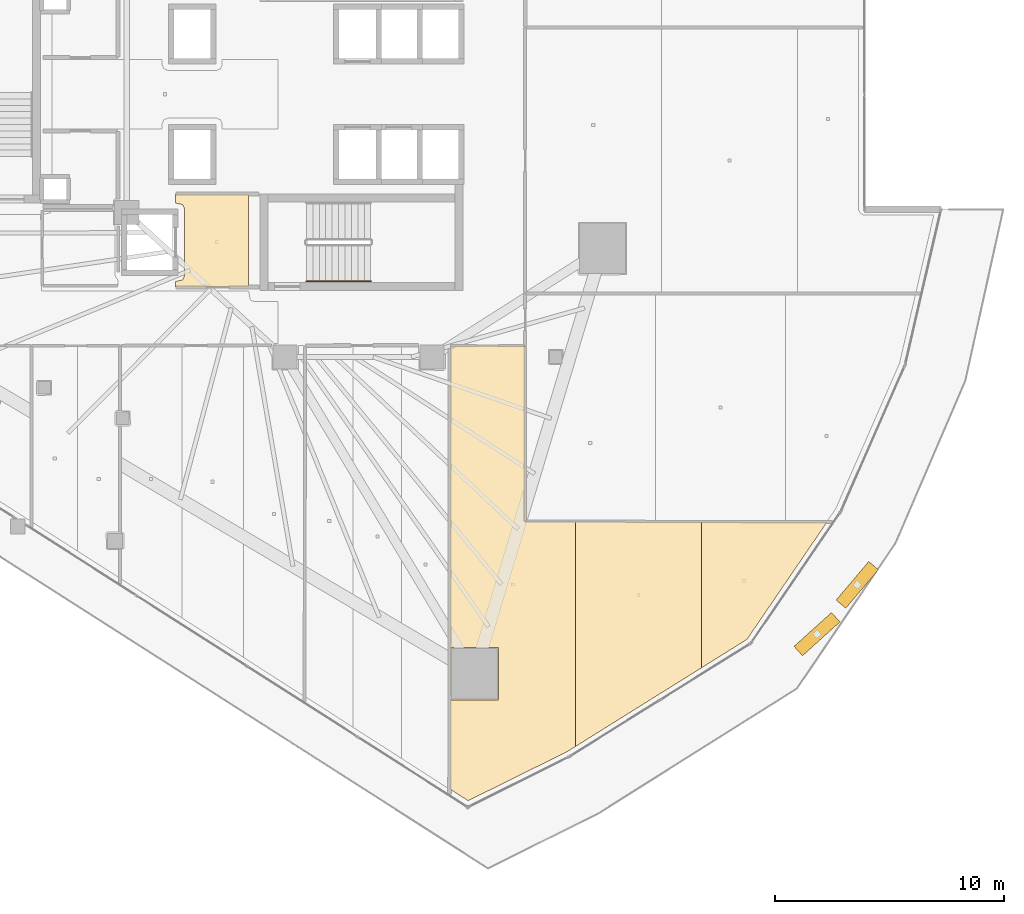
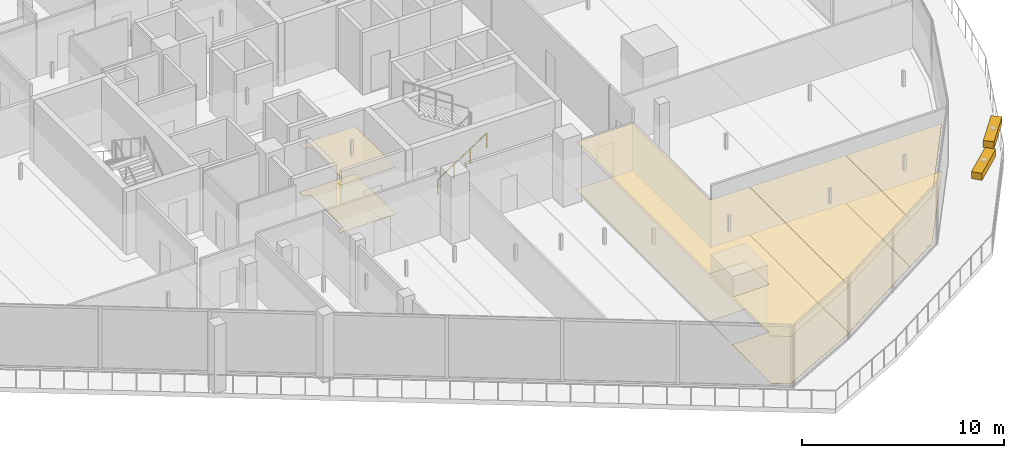
# One storey, part 39 of 45: 8 coverings, 2 shading devices, 1 railing.
"""IFC4 building model written with IfcOpenShell, lengths in metres."""

import ifcopenshell
import ifcopenshell.guid

model = None  # the IFC model being written
_history = None  # IfcOwnerHistory: only IFC2X3 demands one
_inside = {}  # id of a spatial element -> (the spatial element, [elements in it])
_under = {}  # id of a project, library or spatial element -> (it, [spatial elements below it])
_declared = {}  # id of a project -> (the project, [libraries it declares])
_typed = {}  # id of a type object -> (the type object, [elements of that type])
_made_of = {}  # id of a material, layer set ... -> (it, [elements and type objects made of it])


def new_model(schema):
    """Start an empty IFC model of exactly this schema.

    Asked for "IFC4X3", IfcOpenShell would pick the latest addendum, in which some entities
    have other attributes; the version numbers below select the first issue.
    IFC2X3 requires an IfcOwnerHistory on every rooted entity: one is made here for all.
    """
    global model, _history
    if schema == "IFC4X3":
        model = ifcopenshell.file(schema_version=(4, 3, 0, 0))
    else:
        model = ifcopenshell.file(schema=schema)
    _inside.clear()
    _under.clear()
    _declared.clear()
    _typed.clear()
    _made_of.clear()
    _history = None
    if model.schema == "IFC2X3":
        org = make("IfcOrganization", Name="unknown")
        user = make(
            "IfcPersonAndOrganization",
            ThePerson=make("IfcPerson", FamilyName="unknown"),
            TheOrganization=org,
        )
        app = make(
            "IfcApplication",
            ApplicationDeveloper=org,
            Version="unknown",
            ApplicationFullName="unknown",
            ApplicationIdentifier="unknown",
        )
        _history = make(
            "IfcOwnerHistory",
            OwningUser=user,
            OwningApplication=app,
            ChangeAction="ADDED",
            CreationDate=0,
        )
    return model


def make(cls, **values):
    """One entity of the class cls with the attributes given. An attribute that is None is left unset."""
    return model.create_entity(
        cls, **{name: value for name, value in values.items() if value is not None}
    )


def rooted(cls, **values):
    """An entity with a GlobalId (a new one), such as an element, a storey or a relation."""
    return make(cls, GlobalId=ifcopenshell.guid.new(), OwnerHistory=_history, **values)


def si_unit(unit_type, name, prefix=None):
    """IfcSIUnit, for example si_unit("LENGTHUNIT", "METRE", prefix="MILLI")."""
    return make("IfcSIUnit", UnitType=unit_type, Prefix=prefix, Name=name)


def assignment(units):
    """IfcUnitAssignment: the units of a project."""
    return None if units is None else make("IfcUnitAssignment", Units=units)


def point(xyz):
    """IfcCartesianPoint."""
    return None if xyz is None else make("IfcCartesianPoint", Coordinates=xyz)


def direction(xyz):
    """IfcDirection."""
    return None if xyz is None else make("IfcDirection", DirectionRatios=xyz)


def frame(location, z_axis=None, x_axis=None):
    """IfcAxis2Placement3D, a coordinate frame: its origin and axes. An axis left out is left unset."""
    return make(
        "IfcAxis2Placement3D",
        Location=point(location),
        Axis=direction(z_axis),
        RefDirection=direction(x_axis),
    )


def frame_2d(location, x_axis=None):
    """IfcAxis2Placement2D, a coordinate frame in the plane: its origin and x axis."""
    return make(
        "IfcAxis2Placement2D", Location=point(location), RefDirection=direction(x_axis)
    )


def origin():
    """The frame at (0, 0, 0) with its axes left unset."""
    return frame((0.0, 0.0, 0.0))


def origin_2d():
    """The frame at (0, 0) in the plane with its x axis left unset."""
    return frame_2d((0.0, 0.0))


def place(relative_to, where):
    """IfcLocalPlacement: puts the frame where relative to a parent placement (None: the world)."""
    return make(
        "IfcLocalPlacement", PlacementRelTo=relative_to, RelativePlacement=where
    )


def context(
    kind, dimensions, precision=None, world=None, true_north=None, identifier=None
):
    """IfcGeometricRepresentationContext, for example the 3D "Model" context."""
    return make(
        "IfcGeometricRepresentationContext",
        ContextIdentifier=identifier,
        ContextType=kind,
        CoordinateSpaceDimension=dimensions,
        Precision=precision,
        WorldCoordinateSystem=world,
        TrueNorth=true_north,
    )


def subcontext(parent, identifier, kind, view, scale=None):
    """IfcGeometricRepresentationSubContext, for example "Body" below "Model"."""
    return make(
        "IfcGeometricRepresentationSubContext",
        ContextIdentifier=identifier,
        ContextType=kind,
        ParentContext=parent,
        TargetScale=scale,
        TargetView=view,
    )


def project(units=None, contexts=None):
    """IfcProject with its units and contexts."""
    return rooted(
        "IfcProject",
        Name="project",
        RepresentationContexts=contexts,
        UnitsInContext=assignment(units),
    )


def spatial(cls, under=None, at=None, **own):
    """A site, building, storey or space (cls), placed at a placement, below another one or the project."""
    s = rooted(cls, ObjectPlacement=at, **own)
    if under is not None:
        _under.setdefault(under.id(), (under, []))[1].append(s)
    return s


def polyline(points):
    """IfcPolyline through the points."""
    return make("IfcPolyline", Points=[point(p) for p in points])


def profile(cls, at=None, kind="AREA", **sizes):
    """A parametric profile (cls). Its sizes go by their IFC names, for example OverallWidth=200.0."""
    return make(cls, ProfileType=kind, Position=at, **sizes)


def rectangle(**sizes):
    """IfcRectangleProfileDef."""
    return profile("IfcRectangleProfileDef", **sizes)


def circle(**sizes):
    """IfcCircleProfileDef."""
    return profile("IfcCircleProfileDef", **sizes)


def outline(outer, holes=None, kind="AREA"):
    """IfcArbitraryClosedProfileDef: a profile drawn as a closed curve; with holes, ...WithVoids."""
    if holes is None:
        return make("IfcArbitraryClosedProfileDef", ProfileType=kind, OuterCurve=outer)
    return make(
        "IfcArbitraryProfileDefWithVoids",
        ProfileType=kind,
        OuterCurve=outer,
        InnerCurves=holes,
    )


def extrude(swept, where, along, depth):
    """IfcExtrudedAreaSolid: the profile swept, set in the frame where, extruded along a direction by depth."""
    return make(
        "IfcExtrudedAreaSolid",
        SweptArea=swept,
        Position=where,
        ExtrudedDirection=direction(along),
        Depth=depth,
    )


def shape(context_of_items, identifier, shape_type, items):
    """IfcShapeRepresentation: the items that make up one representation, for example the "Body"."""
    return make(
        "IfcShapeRepresentation",
        ContextOfItems=context_of_items,
        RepresentationIdentifier=identifier,
        RepresentationType=shape_type,
        Items=items,
    )


def material(Name=None, Category=None):
    """IfcMaterial."""
    return make("IfcMaterial", Name=Name, Category=Category)


def layer(
    of_material, thickness, ventilated=None, Name=None, Category=None, Priority=None
):
    """IfcMaterialLayer: one layer of a wall or slab, of a material (None: an air gap)."""
    return make(
        "IfcMaterialLayer",
        Material=of_material,
        LayerThickness=thickness,
        IsVentilated=ventilated,
        Name=Name,
        Category=Category,
        Priority=Priority,
    )


def layer_set(layers, Name=None):
    """IfcMaterialLayerSet."""
    return make("IfcMaterialLayerSet", MaterialLayers=layers, LayerSetName=Name)


def made_of(thing, what):
    """Note that an element or type object is made of a material, layer set ...; save() writes the relation."""
    if what is not None:
        _made_of.setdefault(what.id(), (what, []))[1].append(thing)
    return thing


def type_object(cls, material=None, **own):
    """A type object (cls), such as IfcWallType, which elements share."""
    return made_of(rooted(cls, **own), material)


def element(
    cls,
    number,
    at=None,
    inside=None,
    cuts=None,
    type_object=None,
    material=None,
    context=None,
    identifier="Body",
    shape_type=None,
    held_by="IfcProductDefinitionShape",
    body=None,
    shapes=None,
    **own,
):
    """One element of the class cls, such as IfcWall. Its Tag is "e" and its number.

    at: its placement. inside: the storey or other place that contains it. cuts: it is an
    opening in that element (IfcRelVoidsElement). A single representation is given by context,
    identifier, shape_type and body (its items); several are given by shapes. held_by: the class
    of the entity that holds the representations. save() writes the other relations.
    """
    e = rooted(cls, Tag="e%d" % number, ObjectPlacement=at, **own)
    if body is not None:
        shapes = [shape(context, identifier, shape_type, body)]
    if shapes is not None:
        e.Representation = make(held_by, Representations=shapes)
    if inside is not None:
        _inside.setdefault(inside.id(), (inside, []))[1].append(e)
    if cuts is not None:
        rooted(
            "IfcRelVoidsElement", RelatingBuildingElement=cuts, RelatedOpeningElement=e
        )
    if type_object is not None:
        _typed.setdefault(type_object.id(), (type_object, []))[1].append(e)
    return made_of(e, material)


def aggregate(whole, parts):
    """IfcRelAggregates: a whole, such as a stair, and the parts it consists of."""
    return rooted("IfcRelAggregates", RelatingObject=whole, RelatedObjects=parts)


def save(model, path):
    """Write the relations noted so far, then the file.

    IfcRelAggregates (storeys below a building ...), IfcRelContainedInSpatialStructure (elements
    in a storey), IfcRelDefinesByType, IfcRelAssociatesMaterial and IfcRelDeclares: one each for
    every whole, place, type object, material and project.
    """
    for whole, parts in _under.values():
        aggregate(whole, parts)
    for where, things in _inside.values():
        rooted(
            "IfcRelContainedInSpatialStructure",
            RelatedElements=things,
            RelatingStructure=where,
        )
    for kind, things in _typed.values():
        rooted("IfcRelDefinesByType", RelatedObjects=things, RelatingType=kind)
    for what, things in _made_of.values():
        rooted("IfcRelAssociatesMaterial", RelatedObjects=things, RelatingMaterial=what)
    for by, libraries in _declared.values():
        rooted("IfcRelDeclares", RelatingContext=by, RelatedDefinitions=libraries)
    model.write(path)


model = new_model("IFC4")

# Units and contexts
model_context = context("Model", 3, precision=1e-05, world=origin(), true_north=direction((0.0, 1.0)))
body_context = subcontext(model_context, "Body", "Model", "MODEL_VIEW")
ifc_project = project(units=[si_unit("LENGTHUNIT", "METRE"), si_unit("AREAUNIT", "SQUARE_METRE"), si_unit("VOLUMEUNIT", "CUBIC_METRE"), si_unit("PLANEANGLEUNIT", "RADIAN"), si_unit("MASSUNIT", "GRAM", prefix="KILO")], contexts=[model_context])

# Site, building, storey
site_placement = place(None, origin())
site = spatial("IfcSite", under=ifc_project, at=site_placement, CompositionType="ELEMENT")
building_placement = place(site_placement, origin())
building = spatial("IfcBuilding", under=site, at=building_placement, Name="Qorvath Tower", CompositionType="ELEMENT")
storey_placement = place(building_placement, frame((0.0, 0.0, 109.800048828125)))
storey = spatial("IfcBuildingStorey", under=building, at=storey_placement, Name="L24", CompositionType="ELEMENT", Elevation=109.800048828125)

# Coverings
ifc_material_1 = material(Name="Acoustic mineral fibre ceiling tile", Category="gypsum")
ifc_layer_1 = layer(ifc_material_1, 0.030029296875)
ifc_layer_set_1 = layer_set([ifc_layer_1], Name="COV-CEIL")
covering_type_1 = type_object("IfcCoveringType", Name="COV-CEIL", PredefinedType="CEILING", material=ifc_layer_set_1)
covering_1_placement = place(storey_placement, frame((0.0, 0.0, 2.849853515625)))
element("IfcCovering", 1, at=covering_1_placement, inside=storey, type_object=covering_type_1, Name="L24 Suspended Acoustic Ceiling 002", PredefinedType="CEILING", context=body_context, shape_type="SweptSolid", body=[
    extrude(outline(polyline([(-25.18994140625, -8.39501953125), (-25.18994140625, -4.35498046875), (-28.375, -4.35498046875), (-28.375, -4.739990234375), (-28.063232421875, -4.813232421875), (-27.989990234375, -4.989990234375), (-27.989990234375, -7.909912109375), (-28.063232421875, -8.086669921875), (-28.375, -8.159912109375), (-28.375, -8.39501953125), (-25.18994140625, -8.39501953125)])), origin(), (0.0, 0.0, 1.0), 0.030029296875),
])
covering_2_placement = place(storey_placement, frame((0.0, 0.0, 2.849853515625)))
element("IfcCovering", 2, at=covering_2_placement, inside=storey, type_object=covering_type_1, Name="L24 Suspended Acoustic Ceiling 030", PredefinedType="CEILING", context=body_context, shape_type="SweptSolid", body=[
    extrude(outline(polyline([(-16.419677734375, -30.279296875), (-15.62451171875, -30.78759765625), (-11.315673828125, -28.655517578125), (-10.941162109375, -28.421630859375), (-10.941162109375, -18.627197265625), (-13.153564453125, -18.6240234375), (-13.155029296875, -10.962890625), (-16.402099609375, -10.962890625), (-16.419677734375, -30.279296875)]), holes=[polyline([(-16.404296875, -26.34619140625), (-16.38671875, -24.103759765625), (-14.3017578125, -24.103759765625), (-14.3017578125, -26.388427734375), (-16.34423828125, -26.406005859375), (-16.404296875, -26.34619140625)])]), origin(), (0.0, 0.0, 1.0), 0.030029296875),
])
covering_3_placement = place(storey_placement, frame((0.0, 0.0, 2.849853515625)))
element("IfcCovering", 3, at=covering_3_placement, inside=storey, type_object=covering_type_1, Name="L24 Suspended Acoustic Ceiling 031", PredefinedType="CEILING", context=body_context, shape_type="SweptSolid", body=[
    extrude(outline(polyline([(-10.941162109375, -18.627197265625), (-10.941162109375, -28.421630859375), (-5.462646484375, -25.0009765625), (-5.462646484375, -18.635498046875), (-10.941162109375, -18.627197265625)])), origin(), (0.0, 0.0, 1.0), 0.030029296875),
])
covering_4_placement = place(storey_placement, frame((0.0, 0.0, 2.849853515625)))
element("IfcCovering", 4, at=covering_4_placement, inside=storey, type_object=covering_type_1, Name="L24 Suspended Acoustic Ceiling 032", PredefinedType="CEILING", context=body_context, shape_type="SweptSolid", body=[
    extrude(outline(polyline([(-5.462646484375, -18.635498046875), (-5.462646484375, -25.0009765625), (-3.473388671875, -23.759033203125), (0.01611328125, -18.6435546875), (-5.462646484375, -18.635498046875)])), origin(), (0.0, 0.0, 1.0), 0.030029296875),
])
ifc_material_2 = material(Name="Low-VOC modular carpet tile", Category="textile")
ifc_layer_2 = layer(ifc_material_2, 0.014892578125)
ifc_layer_set_2 = layer_set([ifc_layer_2], Name="COV-FLOOR-CPT")
covering_type_2 = type_object("IfcCoveringType", Name="COV-FLOOR-CPT", PredefinedType="FLOORING", material=ifc_layer_set_2)
covering_5_placement = place(storey_placement, origin())
element("IfcCovering", 5, at=covering_5_placement, inside=storey, type_object=covering_type_2, Name="L24 Floor Finish 030", PredefinedType="FLOORING", context=body_context, shape_type="SweptSolid", body=[
    extrude(outline(polyline([(-16.419677734375, -30.279296875), (-15.62451171875, -30.78759765625), (-11.315673828125, -28.655517578125), (-10.941162109375, -28.421630859375), (-10.941162109375, -18.627197265625), (-13.153564453125, -18.6240234375), (-13.155029296875, -10.962890625), (-16.402099609375, -10.962890625), (-16.419677734375, -30.279296875)]), holes=[polyline([(-16.404296875, -26.34619140625), (-16.38671875, -24.103759765625), (-14.3017578125, -24.103759765625), (-14.3017578125, -26.388427734375), (-16.34423828125, -26.406005859375), (-16.404296875, -26.34619140625)])]), origin(), (0.0, 0.0, 1.0), 0.014892578125),
])
covering_6_placement = place(storey_placement, origin())
element("IfcCovering", 6, at=covering_6_placement, inside=storey, type_object=covering_type_2, Name="L24 Floor Finish 031", PredefinedType="FLOORING", context=body_context, shape_type="SweptSolid", body=[
    extrude(outline(polyline([(-10.941162109375, -18.627197265625), (-10.941162109375, -28.421630859375), (-5.462646484375, -25.0009765625), (-5.462646484375, -18.635498046875), (-10.941162109375, -18.627197265625)])), origin(), (0.0, 0.0, 1.0), 0.014892578125),
])
covering_7_placement = place(storey_placement, origin())
element("IfcCovering", 7, at=covering_7_placement, inside=storey, type_object=covering_type_2, Name="L24 Floor Finish 032", PredefinedType="FLOORING", context=body_context, shape_type="SweptSolid", body=[
    extrude(outline(polyline([(-5.462646484375, -18.635498046875), (-5.462646484375, -25.0009765625), (-3.473388671875, -23.759033203125), (0.01611328125, -18.6435546875), (-5.462646484375, -18.635498046875)])), origin(), (0.0, 0.0, 1.0), 0.014892578125),
])
ifc_material_3 = material(Name="Polished epoxy terrazzo flooring", Category="concrete")
ifc_layer_3 = layer(ifc_material_3, 0.02001953125)
ifc_layer_set_3 = layer_set([ifc_layer_3], Name="COV-FLOOR-TRZ")
covering_type_3 = type_object("IfcCoveringType", Name="COV-FLOOR-TRZ", PredefinedType="FLOORING", material=ifc_layer_set_3)
covering_8_placement = place(storey_placement, origin())
element("IfcCovering", 8, at=covering_8_placement, inside=storey, type_object=covering_type_3, Name="L24 Floor Finish 002", PredefinedType="FLOORING", context=body_context, shape_type="SweptSolid", body=[
    extrude(outline(polyline([(-25.18994140625, -8.39501953125), (-25.18994140625, -4.35498046875), (-28.375, -4.35498046875), (-28.375, -4.739990234375), (-28.063232421875, -4.813232421875), (-27.989990234375, -4.989990234375), (-27.989990234375, -7.909912109375), (-28.063232421875, -8.086669921875), (-28.375, -8.159912109375), (-28.375, -8.39501953125), (-25.18994140625, -8.39501953125)])), origin(), (0.0, 0.0, 1.0), 0.014892578125),
])

# Railing
ifc_material_4 = material(Name="Brushed stainless steel AISI 304", Category="steel")
railing_type = type_object("IfcRailingType", Name="RL-STR-HND", PredefinedType="HANDRAIL", material=ifc_material_4)
railing_placement = place(storey_placement, frame((-22.669921875, -8.14990234375, 0.18408203125)))
element("IfcRailing", 9, at=railing_placement, inside=storey, type_object=railing_type, Name="L24 TS2 stair handrail 1", PredefinedType="HANDRAIL", context=body_context, shape_type="SweptSolid", body=[
    extrude(circle(Radius=0.02392578125, at=origin_2d()), frame((0.0, 0.0, 0.8759765625), z_axis=(0.835575518608, 0.0, 0.549375602573), x_axis=(0.0, 1.0, 0.0)), (0.0, 0.0, 1.0), 3.350830078125),
    extrude(circle(Radius=0.02099609375, at=origin_2d()), origin(), (0.0, 0.0, 1.0), 0.851806640625),
    extrude(circle(Radius=0.02099609375, at=origin_2d()), frame((0.933349609375, 0.0, 0.613525390625)), (0.0, 0.0, 1.0), 0.851806640625),
    extrude(circle(Radius=0.02099609375, at=origin_2d()), frame((1.866455078125, 0.0, 1.227294921875)), (0.0, 0.0, 1.0), 0.851806640625),
    extrude(circle(Radius=0.02099609375, at=origin_2d()), frame((2.7998046875, 0.0, 1.8408203125)), (0.0, 0.0, 1.0), 0.851806640625),
])

# Shading devices
ifc_material_5 = material(Name="Anodised bronze-champagne aluminium", Category="aluminium")
shading_device_type = type_object("IfcShadingDeviceType", Name="SD-LOUVRE", PredefinedType="JALOUSIE", material=ifc_material_5)
for number, where, z_axis, x_axis, name in (
    (10, (-0.4208984375, -23.52880859375, 3.35009765625), (0.0, 0.0, 1.0), (0.742134955738, 0.670250481143, 0.0), "Sinusoidal Wave Louvre Blade L24-03"),
    (11, (1.33447265625, -21.381103515625, 3.35009765625), (0.0, 0.0, 1.0), (0.646514198085, 0.762901954169, 0.0), "Sinusoidal Wave Louvre Blade L24-04"),
):
    element("IfcShadingDevice", number, at=place(storey_placement, frame(where, z_axis=z_axis, x_axis=x_axis)), inside=storey, type_object=shading_device_type, Name=name, PredefinedType="NOTDEFINED", context=body_context, shape_type="SweptSolid", body=[
        extrude(rectangle(XDim=2.199951171875, YDim=0.550048828125, at=origin_2d()), origin(), (0.0, 0.0, 1.0), 0.419921875),
    ])

save(model, "model.ifc")
